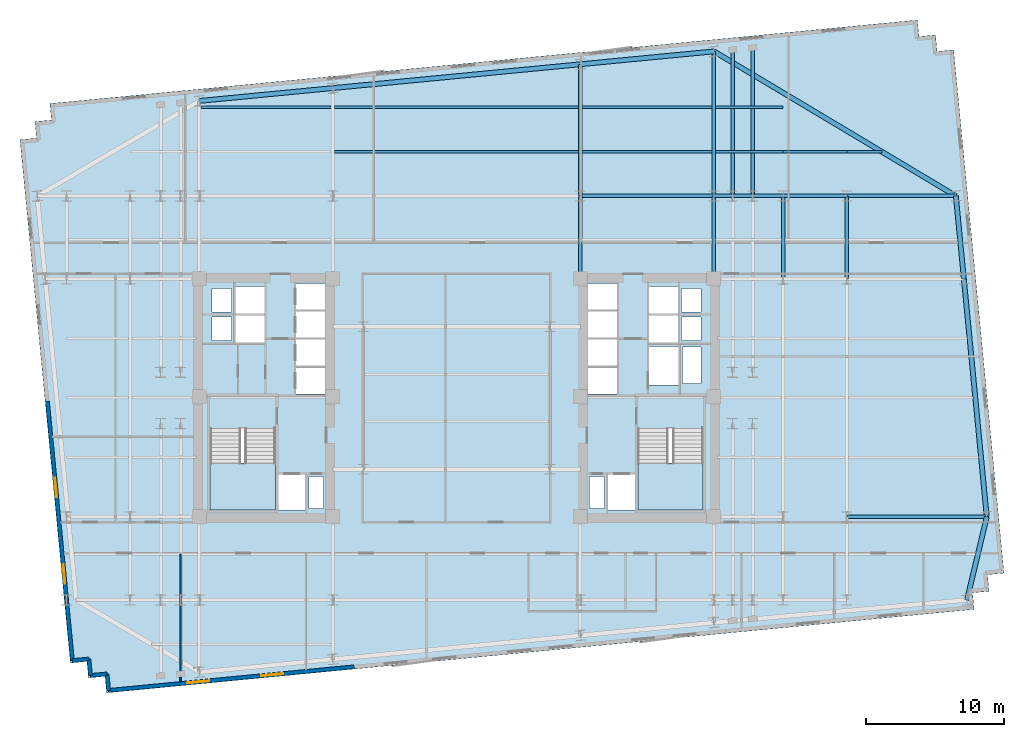
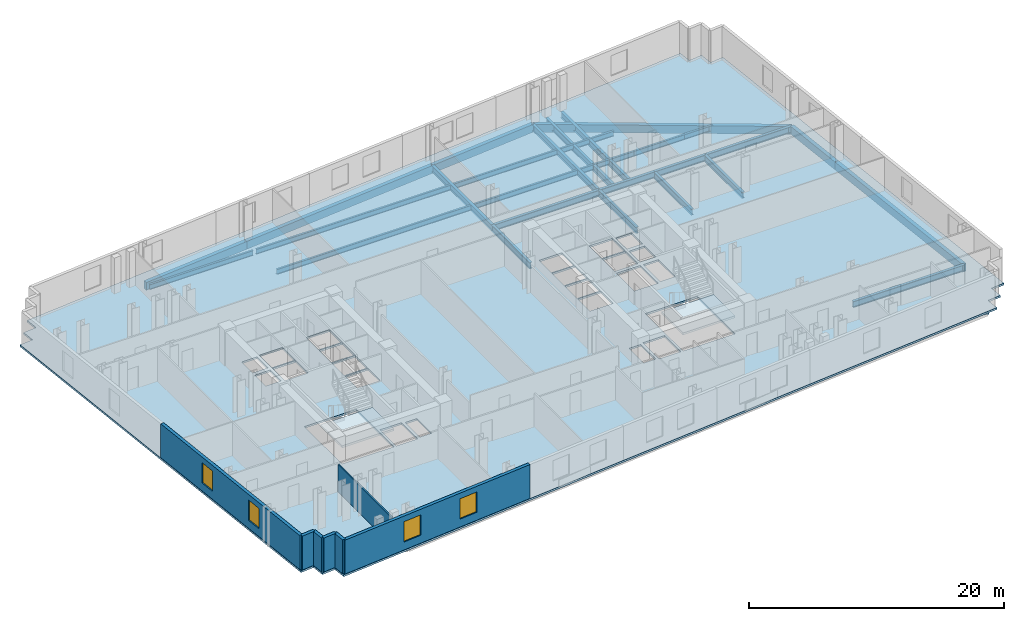
# One storey, part 3 of 10: 29 beams, 7 walls, 4 windows, 3 slabs, 4 openings, 2 elements without a shape of their own.
"""IFC4 building model written with IfcOpenShell, lengths in metres."""

from ifc_helpers import new_model, si_unit, direction, frame, frame_2d, origin, origin_2d, place, context, subcontext, project, spatial, polyline, rectangle, i_section, outline, extrude, material, layer, layer_set, material_profile, profile_set, type_object, element, fill, aggregate, save


model = new_model("IFC4")

# Units and contexts
model_context = context("Model", 3, precision=1e-05, world=origin(), true_north=direction((0.0, 1.0)))
body_context = subcontext(model_context, "Body", "Model", "MODEL_VIEW")
ifc_project = project(units=[si_unit("LENGTHUNIT", "METRE"), si_unit("AREAUNIT", "SQUARE_METRE"), si_unit("VOLUMEUNIT", "CUBIC_METRE"), si_unit("PLANEANGLEUNIT", "RADIAN"), si_unit("MASSUNIT", "GRAM", prefix="KILO")], contexts=[model_context])

# Site, building, storey
site_placement = place(None, origin())
site = spatial("IfcSite", under=ifc_project, at=site_placement, CompositionType="ELEMENT")
building_placement = place(site_placement, origin())
building = spatial("IfcBuilding", under=site, at=building_placement, Name="Velakula Bourse", CompositionType="ELEMENT")
storey_placement = place(building_placement, frame((0.0, 0.0, 88.0)))
storey = spatial("IfcBuildingStorey", under=building, at=storey_placement, Name="L23", CompositionType="ELEMENT", Elevation=88.0)

# Beams
ifc_material_1 = material(Name="Steel IS 2062 Grade 350 (E350)", Category="steel")
ifc_material_profile_1 = material_profile(ifc_material_1, i_section(OverallWidth=0.25, OverallDepth=0.60009765625, WebThickness=0.01171875, FlangeThickness=0.023681640625, at=origin_2d()), Name="Steel IS 2062 Grade 350 (E350)")
ifc_profile_set_1 = profile_set([ifc_material_profile_1], Name="Steel IS 2062 Grade 350 (E350)")
beam_type_1 = type_object("IfcBeamType", Name="BM-GRD-600H", PredefinedType="BEAM", material=ifc_profile_set_1)
for number, where, z_axis, x_axis, name in (
    (1, (8.949951171875, 8.60009765625, -0.47998046875), (0.0, 1.0, 0.0), (-1.0, 0.0, 0.0), "L23 Fulcrum Grid Girder FLC-ECN"),
    (2, (18.60009765625, 8.60009765625, -0.47998046875), (0.0, 1.0, 0.0), (-1.0, 0.0, 0.0), "L23 Fulcrum Grid Girder FLC-EN"),
):
    element("IfcBeam", number, at=place(storey_placement, frame(where, z_axis=z_axis, x_axis=x_axis)), inside=storey, type_object=beam_type_1, Name=name, PredefinedType="BEAM", context=body_context, shape_type="SweptSolid", body=[
        extrude(i_section(OverallWidth=0.25, OverallDepth=0.60009765625, WebThickness=0.01171875, FlangeThickness=0.023681640625, at=origin_2d()), origin(), (0.0, 0.0, 1.0), 6.0),
    ])
beam_1_placement = place(storey_placement, frame((8.949951171875, 14.60009765625, -0.47998046875), z_axis=(1.0, 0.0, 0.0), x_axis=(0.0, 1.0, 0.0)))
element("IfcBeam", 3, at=beam_1_placement, inside=storey, type_object=beam_type_1, Name="L23 Fulcrum Grid Girder FLC-N3", PredefinedType="BEAM", context=body_context, shape_type="SweptSolid", body=[
    extrude(i_section(OverallWidth=0.25, OverallDepth=0.60009765625, WebThickness=0.01171875, FlangeThickness=0.023681640625, at=origin_2d()), origin(), (0.0, 0.0, 1.0), 9.650146484375),
])
beam_2_placement = place(storey_placement, frame((18.60009765625, 14.60009765625, -0.47998046875), z_axis=(1.0, 0.0, 0.0), x_axis=(0.0, 1.0, 0.0)))
element("IfcBeam", 4, at=beam_2_placement, inside=storey, type_object=beam_type_1, Name="L23 Fulcrum Grid Girder MWG-EN2", PredefinedType="BEAM", context=body_context, shape_type="SweptSolid", body=[
    extrude(i_section(OverallWidth=0.25, OverallDepth=0.60009765625, WebThickness=0.01171875, FlangeThickness=0.023681640625, at=origin_2d()), origin(), (0.0, 0.0, 1.0), 5.0),
])
beam_3_placement = place(storey_placement, frame((23.60009765625, 8.60009765625, -0.47998046875), z_axis=(0.0, 1.0, 0.0), x_axis=(-1.0, 0.0, 0.0)))
element("IfcBeam", 5, at=beam_3_placement, inside=storey, type_object=beam_type_1, Name="L23 Fulcrum Grid Girder MWG-ENS3", PredefinedType="BEAM", context=body_context, shape_type="SweptSolid", body=[
    extrude(i_section(OverallWidth=0.25, OverallDepth=0.60009765625, WebThickness=0.01171875, FlangeThickness=0.023681640625, at=origin_2d()), origin(), (0.0, 0.0, 1.0), 6.0),
])
beam_4_placement = place(storey_placement, frame((23.60009765625, 14.60009765625, -0.47998046875), z_axis=(1.0, 0.0, 0.0), x_axis=(0.0, 1.0, 0.0)))
element("IfcBeam", 6, at=beam_4_placement, inside=storey, type_object=beam_type_1, Name="L23 Fulcrum Grid Girder WNG-EN2", PredefinedType="BEAM", context=body_context, shape_type="SweptSolid", body=[
    extrude(i_section(OverallWidth=0.25, OverallDepth=0.60009765625, WebThickness=0.01171875, FlangeThickness=0.023681640625, at=origin_2d()), origin(), (0.0, 0.0, 1.0), 4.599853515625),
])
beam_5_placement = place(storey_placement, frame((28.199951171875, 8.60009765625, -0.47998046875), z_axis=(0.0, 1.0, 0.0), x_axis=(-1.0, 0.0, 0.0)))
element("IfcBeam", 7, at=beam_5_placement, inside=storey, type_object=beam_type_1, Name="L23 Fulcrum Grid Girder WNG-ENS3", PredefinedType="BEAM", context=body_context, shape_type="SweptSolid", body=[
    extrude(i_section(OverallWidth=0.25, OverallDepth=0.60009765625, WebThickness=0.01171875, FlangeThickness=0.023681640625, at=origin_2d()), origin(), (0.0, 0.0, 1.0), 6.0),
])
beam_6_placement = place(storey_placement, frame((8.949951171875, 14.60009765625, -0.47998046875), z_axis=(0.0, 1.0, 0.0), x_axis=(-1.0, 0.0, 0.0)))
element("IfcBeam", 8, at=beam_6_placement, inside=storey, type_object=beam_type_1, Name="L23 Perimeter Tie Girder N3", PredefinedType="BEAM", context=body_context, shape_type="SweptSolid", body=[
    extrude(i_section(OverallWidth=0.25, OverallDepth=0.60009765625, WebThickness=0.01171875, FlangeThickness=0.023681640625, at=origin_2d()), origin(), (0.0, 0.0, 1.0), 9.521484375),
])
beam_7_placement = place(storey_placement, frame((18.60009765625, 14.60009765625, -0.47998046875), z_axis=(0.0, 1.0, 0.0), x_axis=(-1.0, 0.0, 0.0)))
element("IfcBeam", 9, at=beam_7_placement, inside=storey, type_object=beam_type_1, Name="L23 Perimeter Tie Girder N4", PredefinedType="BEAM", context=body_context, shape_type="SweptSolid", body=[
    extrude(i_section(OverallWidth=0.25, OverallDepth=0.60009765625, WebThickness=0.01171875, FlangeThickness=0.023681640625, at=origin_2d()), origin(), (0.0, 0.0, 1.0), 10.45068359375),
])
beam_8_placement = place(storey_placement, frame((28.199951171875, -8.60009765625, -0.47998046875), z_axis=(1.0, 0.0, 0.0), x_axis=(0.0, 1.0, 0.0)))
element("IfcBeam", 10, at=beam_8_placement, inside=storey, type_object=beam_type_1, Name="L23 Perimeter Tie Girder E2", PredefinedType="BEAM", context=body_context, shape_type="SweptSolid", body=[
    extrude(i_section(OverallWidth=0.25, OverallDepth=0.60009765625, WebThickness=0.01171875, FlangeThickness=0.023681640625, at=origin_2d()), origin(), (0.0, 0.0, 1.0), 10.119873046875),
])
beam_9_placement = place(storey_placement, frame((28.199951171875, 14.60009765625, -0.47998046875), z_axis=(1.0, 0.0, 0.0), x_axis=(0.0, 1.0, 0.0)))
element("IfcBeam", 11, at=beam_9_placement, inside=storey, type_object=beam_type_1, Name="L23 Perimeter Tie Girder E4", PredefinedType="BEAM", context=body_context, shape_type="SweptSolid", body=[
    extrude(i_section(OverallWidth=0.25, OverallDepth=0.60009765625, WebThickness=0.01171875, FlangeThickness=0.023681640625, at=origin_2d()), origin(), (0.0, 0.0, 1.0), 7.885986328125),
])
beam_10_placement = place(storey_placement, frame((19.949951171875, 14.60009765625, -0.47998046875), z_axis=(0.0, 1.0, 0.0), x_axis=(-1.0, 0.0, 0.0)))
element("IfcBeam", 12, at=beam_10_placement, inside=storey, type_object=beam_type_1, Name="L23 Perimeter Tie Girder P07", PredefinedType="BEAM", context=body_context, shape_type="SweptSolid", body=[
    extrude(i_section(OverallWidth=0.25, OverallDepth=0.60009765625, WebThickness=0.01171875, FlangeThickness=0.023681640625, at=origin_2d()), origin(), (0.0, 0.0, 1.0), 10.580810546875),
])
beam_11_placement = place(storey_placement, frame((21.39990234375, 14.60009765625, -0.47998046875), z_axis=(0.0, 1.0, 0.0), x_axis=(-1.0, 0.0, 0.0)))
element("IfcBeam", 13, at=beam_11_placement, inside=storey, type_object=beam_type_1, Name="L23 Perimeter Tie Girder P08", PredefinedType="BEAM", context=body_context, shape_type="SweptSolid", body=[
    extrude(i_section(OverallWidth=0.25, OverallDepth=0.60009765625, WebThickness=0.01171875, FlangeThickness=0.023681640625, at=origin_2d()), origin(), (0.0, 0.0, 1.0), 10.720458984375),
])
ifc_material_profile_2 = material_profile(ifc_material_1, i_section(OverallWidth=0.179931640625, OverallDepth=0.5, WebThickness=0.01025390625, FlangeThickness=0.01708984375, at=origin_2d()), Name="Steel IS 2062 Grade 350 (E350)")
ifc_profile_set_2 = profile_set([ifc_material_profile_2], Name="Steel IS 2062 Grade 350 (E350)")
beam_type_2 = type_object("IfcBeamType", Name="JST-TWR-500", PredefinedType="JOIST", material=ifc_profile_set_2)
beam_12_placement = place(storey_placement, frame((-8.824951171875, 17.800048828125, -0.429931640625), z_axis=(1.0, 0.0, 0.0), x_axis=(0.0, 1.0, 0.0)))
element("IfcBeam", 14, at=beam_12_placement, inside=storey, type_object=beam_type_2, Name="L23 Trading Floor Composite Joist 22", PredefinedType="JOIST", context=body_context, shape_type="SweptSolid", body=[
    extrude(i_section(OverallWidth=0.179931640625, OverallDepth=0.5, WebThickness=0.01025390625, FlangeThickness=0.01708984375, at=origin_2d()), origin(), (0.0, 0.0, 1.0), 17.64990234375),
])
beam_13_placement = place(storey_placement, frame((9.074951171875, 17.800048828125, -0.429931640625), z_axis=(1.0, 0.0, 0.0), x_axis=(0.0, 1.0, 0.0)))
element("IfcBeam", 15, at=beam_13_placement, inside=storey, type_object=beam_type_2, Name="L23 Trading Floor Composite Joist 23", PredefinedType="JOIST", context=body_context, shape_type="SweptSolid", body=[
    extrude(i_section(OverallWidth=0.179931640625, OverallDepth=0.5, WebThickness=0.01025390625, FlangeThickness=0.01708984375, at=origin_2d()), origin(), (0.0, 0.0, 1.0), 9.400146484375),
])
beam_14_placement = place(storey_placement, frame((18.72509765625, 17.800048828125, -0.429931640625), z_axis=(1.0, 0.0, 0.0), x_axis=(0.0, 1.0, 0.0)))
element("IfcBeam", 16, at=beam_14_placement, inside=storey, type_object=beam_type_2, Name="L23 Trading Floor Composite Joist 24", PredefinedType="JOIST", context=body_context, shape_type="SweptSolid", body=[
    extrude(i_section(OverallWidth=0.179931640625, OverallDepth=0.5, WebThickness=0.01025390625, FlangeThickness=0.01708984375, at=origin_2d()), origin(), (0.0, 0.0, 1.0), 4.875),
])
beam_15_placement = place(storey_placement, frame((23.60009765625, 17.800048828125, -0.429931640625), z_axis=(1.0, 0.0, 0.0), x_axis=(0.0, 1.0, 0.0)))
element("IfcBeam", 17, at=beam_15_placement, inside=storey, type_object=beam_type_2, Name="L23 Trading Floor Composite Joist 25", PredefinedType="JOIST", context=body_context, shape_type="SweptSolid", body=[
    extrude(i_section(OverallWidth=0.179931640625, OverallDepth=0.5, WebThickness=0.01025390625, FlangeThickness=0.01708984375, at=origin_2d()), origin(), (0.0, 0.0, 1.0), 4.599853515625),
])
beam_16_placement = place(storey_placement, frame((28.199951171875, 17.800048828125, -0.429931640625), z_axis=(1.0, 0.0, 0.0), x_axis=(0.0, 1.0, 0.0)))
element("IfcBeam", 18, at=beam_16_placement, inside=storey, type_object=beam_type_2, Name="L23 Trading Floor Composite Joist 26", PredefinedType="JOIST", context=body_context, shape_type="SweptSolid", body=[
    extrude(i_section(OverallWidth=0.179931640625, OverallDepth=0.5, WebThickness=0.01025390625, FlangeThickness=0.01708984375, at=origin_2d()), origin(), (0.0, 0.0, 1.0), 2.53173828125),
])
beam_17_placement = place(storey_placement, frame((-18.47509765625, 21.0, -0.429931640625), z_axis=(1.0, 0.0, 0.0), x_axis=(0.0, 1.0, 0.0)))
element("IfcBeam", 19, at=beam_17_placement, inside=storey, type_object=beam_type_2, Name="L23 Trading Floor Composite Joist 27", PredefinedType="JOIST", context=body_context, shape_type="SweptSolid", body=[
    extrude(i_section(OverallWidth=0.179931640625, OverallDepth=0.5, WebThickness=0.01025390625, FlangeThickness=0.01708984375, at=origin_2d()), origin(), (0.0, 0.0, 1.0), 9.400146484375),
])
beam_18_placement = place(storey_placement, frame((-8.824951171875, 21.0, -0.429931640625), z_axis=(1.0, 0.0, 0.0), x_axis=(0.0, 1.0, 0.0)))
element("IfcBeam", 20, at=beam_18_placement, inside=storey, type_object=beam_type_2, Name="L23 Trading Floor Composite Joist 28", PredefinedType="JOIST", context=body_context, shape_type="SweptSolid", body=[
    extrude(i_section(OverallWidth=0.179931640625, OverallDepth=0.5, WebThickness=0.01025390625, FlangeThickness=0.01708984375, at=origin_2d()), origin(), (0.0, 0.0, 1.0), 17.64990234375),
])
beam_19_placement = place(storey_placement, frame((9.074951171875, 21.0, -0.429931640625), z_axis=(1.0, 0.0, 0.0), x_axis=(0.0, 1.0, 0.0)))
element("IfcBeam", 21, at=beam_19_placement, inside=storey, type_object=beam_type_2, Name="L23 Trading Floor Composite Joist 29", PredefinedType="JOIST", context=body_context, shape_type="SweptSolid", body=[
    extrude(i_section(OverallWidth=0.179931640625, OverallDepth=0.5, WebThickness=0.01025390625, FlangeThickness=0.01708984375, at=origin_2d()), origin(), (0.0, 0.0, 1.0), 9.400146484375),
])
beam_20_placement = place(storey_placement, frame((18.72509765625, 21.0, -0.429931640625), z_axis=(1.0, 0.0, 0.0), x_axis=(0.0, 1.0, 0.0)))
element("IfcBeam", 22, at=beam_20_placement, inside=storey, type_object=beam_type_2, Name="L23 Trading Floor Composite Joist 30", PredefinedType="JOIST", context=body_context, shape_type="SweptSolid", body=[
    extrude(i_section(OverallWidth=0.179931640625, OverallDepth=0.5, WebThickness=0.01025390625, FlangeThickness=0.01708984375, at=origin_2d()), origin(), (0.0, 0.0, 1.0), 4.875),
])
ifc_material_2 = material(Name="Precast concrete M45 (fck 45 MPa)", Category="concrete")
ifc_material_profile_3 = material_profile(ifc_material_2, rectangle(XDim=0.35009765625, YDim=0.75, at=origin_2d()), Name="Precast concrete M45 (fck 45 MPa)")
ifc_profile_set_3 = profile_set([ifc_material_profile_3], Name="Precast concrete M45 (fck 45 MPa)")
beam_type_3 = type_object("IfcBeamType", Name="SPN-BRICK-750", PredefinedType="SPANDREL", material=ifc_profile_set_3)
beam_21_placement = place(storey_placement, frame((-18.60009765625, 21.468994140625, -0.554931640625), z_axis=(0.99539623971, 0.095845323155, 0.0), x_axis=(-0.095845323155, 0.99539623971, 0.0)))
element("IfcBeam", 23, at=beam_21_placement, inside=storey, type_object=beam_type_3, Name="L23 Brick-Faced Precast Spandrel N1-N2", PredefinedType="SPANDREL", context=body_context, shape_type="SweptSolid", body=[
    extrude(rectangle(XDim=0.35009765625, YDim=0.75, at=origin_2d()), origin(), (0.0, 0.0, 1.0), 9.69482421875),
])
beam_22_placement = place(storey_placement, frame((-8.949951171875, 22.398193359375, -0.554931640625), z_axis=(0.995397131467, 0.095836061418, 0.0), x_axis=(-0.095836061418, 0.995397131467, 0.0)))
element("IfcBeam", 24, at=beam_22_placement, inside=storey, type_object=beam_type_3, Name="L23 Brick-Faced Precast Spandrel N2-N3", PredefinedType="SPANDREL", context=body_context, shape_type="SweptSolid", body=[
    extrude(rectangle(XDim=0.35009765625, YDim=0.75, at=origin_2d()), origin(), (0.0, 0.0, 1.0), 17.982666015625),
])
beam_23_placement = place(storey_placement, frame((8.949951171875, 24.12158203125, -0.554931640625), z_axis=(0.99539623971, 0.095845323155, 0.0), x_axis=(-0.095845323155, 0.99539623971, 0.0)))
element("IfcBeam", 25, at=beam_23_placement, inside=storey, type_object=beam_type_3, Name="L23 Brick-Faced Precast Spandrel N3-N4", PredefinedType="SPANDREL", context=body_context, shape_type="SweptSolid", body=[
    extrude(rectangle(XDim=0.35009765625, YDim=0.75, at=origin_2d()), origin(), (0.0, 0.0, 1.0), 9.69482421875),
])
beam_24_placement = place(storey_placement, frame((36.88818359375, -14.60009765625, -0.554931640625), z_axis=(0.232091371601, 0.972693988482, 0.0), x_axis=(-0.972693988482, 0.232091371601, 0.0)))
element("IfcBeam", 26, at=beam_24_placement, inside=storey, type_object=beam_type_3, Name="L23 Brick-Faced Precast Spandrel E1-E2", PredefinedType="SPANDREL", context=body_context, shape_type="SweptSolid", body=[
    extrude(rectangle(XDim=0.35009765625, YDim=0.75, at=origin_2d()), origin(), (0.0, 0.0, 1.0), 6.16845703125),
])
beam_25_placement = place(storey_placement, frame((38.31982421875, -8.60009765625, -0.554931640625), z_axis=(-0.095849167925, 0.995395869495, 0.0), x_axis=(-0.995395869495, -0.095849167925, 0.0)))
element("IfcBeam", 27, at=beam_25_placement, inside=storey, type_object=beam_type_3, Name="L23 Brick-Faced Precast Spandrel E2-E3", PredefinedType="SPANDREL", context=body_context, shape_type="SweptSolid", body=[
    extrude(rectangle(XDim=0.35009765625, YDim=0.75, at=origin_2d()), origin(), (0.0, 0.0, 1.0), 17.27978515625),
])
beam_26_placement = place(storey_placement, frame((36.66357421875, 8.60009765625, -0.554931640625), z_axis=(-0.095829714309, 0.995397742541, 0.0), x_axis=(-0.995397742541, -0.095829714309, 0.0)))
element("IfcBeam", 28, at=beam_26_placement, inside=storey, type_object=beam_type_3, Name="L23 Brick-Faced Precast Spandrel E3-E4", PredefinedType="SPANDREL", context=body_context, shape_type="SweptSolid", body=[
    extrude(rectangle(XDim=0.35009765625, YDim=0.75, at=origin_2d()), origin(), (0.0, 0.0, 1.0), 6.02783203125),
])
beam_27_placement = place(storey_placement, frame((36.0859375, 14.60009765625, -0.554931640625), z_axis=(-0.858375715449, 0.513021569846, 0.0), x_axis=(-0.513021569846, -0.858375715449, 0.0)))
element("IfcBeam", 29, at=beam_27_placement, inside=storey, type_object=beam_type_3, Name="L23 Brick-Faced Precast Spandrel E4-N4", PredefinedType="SPANDREL", context=body_context, shape_type="SweptSolid", body=[
    extrude(rectangle(XDim=0.35009765625, YDim=0.75, at=origin_2d()), origin(), (0.0, 0.0, 1.0), 20.370849609375),
])

# Stair, slab
ifc_material_3 = material(Name="Concrete M45 (fck 45 MPa)", Category="concrete")
stair_type = type_object("IfcStairType", Name="STR-DOG-390", PredefinedType="HALF_TURN_STAIR", material=ifc_material_3)
stair_1_placement = place(storey_placement, origin())
stair_1 = element("IfcStair", 30, at=stair_1_placement, inside=storey, type_object=stair_type, Name="L23 West Core Exit Stair ST-W1", PredefinedType="HALF_TURN_STAIR")
ifc_layer_1 = layer(ifc_material_3, 0.199951171875, Name="Concrete M45 (fck 45 MPa)", Category="concrete")
ifc_layer_set_1 = layer_set([ifc_layer_1], Name="Concrete M45 (fck 45 MPa)")
slab_type_1 = type_object("IfcSlabType", Name="SLB-STAIR-LND-200", PredefinedType="LANDING", material=ifc_layer_set_1)
slab_1_placement = place(storey_placement, frame((0.0, 0.0, 1.52490234375)))
slab_1 = element("IfcSlab", 31, at=slab_1_placement, type_object=slab_type_1, Name="ST-W1 landing 1", PredefinedType="LANDING", context=body_context, shape_type="SweptSolid", body=[
    extrude(outline(polyline([(-17.820068359375, -4.719970703125), (-17.820068359375, -8.10009765625), (-13.10009765625, -8.10009765625), (-13.10009765625, -4.719970703125), (-17.820068359375, -4.719970703125)])), origin(), (0.0, 0.0, 1.0), 0.2001953125),
])
aggregate(stair_1, [slab_1])

stair_2_placement = place(storey_placement, origin())
stair_2 = element("IfcStair", 32, at=stair_2_placement, inside=storey, type_object=stair_type, Name="L23 East Core Exit Stair ST-E1", PredefinedType="HALF_TURN_STAIR")
slab_2_placement = place(storey_placement, frame((0.0, 0.0, 1.52490234375)))
slab_2 = element("IfcSlab", 33, at=slab_2_placement, type_object=slab_type_1, Name="ST-E1 landing 1", PredefinedType="LANDING", context=body_context, shape_type="SweptSolid", body=[
    extrude(outline(polyline([(13.10009765625, -4.719970703125), (13.10009765625, -8.10009765625), (17.820068359375, -8.10009765625), (17.820068359375, -4.719970703125), (13.10009765625, -4.719970703125)])), origin(), (0.0, 0.0, 1.0), 0.2001953125),
])
aggregate(stair_2, [slab_2])

# Slab
ifc_material_4 = material(Name="Concrete M50 (fck 50 MPa)", Category="concrete")
ifc_layer_2 = layer(ifc_material_4, 0.179931640625, Name="Concrete M50 (fck 50 MPa)", Category="concrete")
ifc_layer_set_2 = layer_set([ifc_layer_2], Name="Concrete M50 (fck 50 MPa)")
slab_type_2 = type_object("IfcSlabType", Name="SLB-TWR-180", PredefinedType="FLOOR", material=ifc_layer_set_2)
slab_3_placement = place(storey_placement, frame((0.0, 0.0, -0.179931640625)))
element("IfcSlab", 34, at=slab_3_placement, inside=storey, type_object=slab_type_2, Name="L23 Suspended Structural Floor Slab", PredefinedType="FLOOR", context=body_context, shape_type="SweptSolid", body=[
    extrude(outline(polyline([(-25.303955078125, -21.320556640625), (37.406005859375, -15.2822265625), (37.291015625, -14.087890625), (38.485595703125, -13.972900390625), (38.37060546875, -12.7783203125), (39.56494140625, -12.663330078125), (35.9228515625, 25.16162109375), (34.728271484375, 25.046630859375), (34.61328125, 26.2412109375), (33.4189453125, 26.126220703125), (33.303955078125, 27.320556640625), (-29.406005859375, 21.2822265625), (-29.291015625, 20.087890625), (-30.485595703125, 19.972900390625), (-30.37060546875, 18.7783203125), (-31.56494140625, 18.663330078125), (-27.9228515625, -19.16162109375), (-26.728271484375, -19.046630859375), (-26.61328125, -20.2412109375), (-25.4189453125, -20.126220703125), (-25.303955078125, -21.320556640625)]), holes=[polyline([(-17.820068359375, -8.10009765625), (-13.10009765625, -8.10009765625), (-13.10009765625, -2.199951171875), (-17.820068359375, -2.199951171875), (-17.820068359375, -8.10009765625)]), polyline([(13.10009765625, -8.10009765625), (17.820068359375, -8.10009765625), (17.820068359375, -2.199951171875), (13.10009765625, -2.199951171875), (13.10009765625, -8.10009765625)]), polyline([(-12.89990234375, -8.10009765625), (-10.949951171875, -8.10009765625), (-10.949951171875, -5.550048828125), (-12.89990234375, -5.550048828125), (-12.89990234375, -8.10009765625)]), polyline([(10.949951171875, -8.10009765625), (12.89990234375, -8.10009765625), (12.89990234375, -5.550048828125), (10.949951171875, -5.550048828125), (10.949951171875, -8.10009765625)]), polyline([(13.89990234375, 0.919921875), (16.050048828125, 0.919921875), (16.050048828125, 3.719970703125), (13.89990234375, 3.719970703125), (13.89990234375, 0.919921875)]), polyline([(-10.679931640625, -7.97998046875), (-9.6201171875, -7.97998046875), (-9.6201171875, -5.669921875), (-10.679931640625, -5.669921875), (-10.679931640625, -7.97998046875)]), polyline([(-17.679931640625, 4.139892578125), (-16.27001953125, 4.139892578125), (-16.27001953125, 5.85009765625), (-17.679931640625, 5.85009765625), (-17.679931640625, 4.139892578125)]), polyline([(-17.679931640625, 6.2099609375), (-16.27001953125, 6.2099609375), (-16.27001953125, 7.919921875), (-17.679931640625, 7.919921875), (-17.679931640625, 6.2099609375)]), polyline([(9.6201171875, -7.97998046875), (10.679931640625, -7.97998046875), (10.679931640625, -5.669921875), (9.6201171875, -5.669921875), (9.6201171875, -7.97998046875)]), polyline([(16.27001953125, 4.139892578125), (17.679931640625, 4.139892578125), (17.679931640625, 5.85009765625), (16.27001953125, 5.85009765625), (16.27001953125, 4.139892578125)]), polyline([(16.27001953125, 6.2099609375), (17.679931640625, 6.2099609375), (17.679931640625, 7.919921875), (16.27001953125, 7.919921875), (16.27001953125, 6.2099609375)]), polyline([(16.320068359375, 1.0400390625), (17.679931640625, 1.0400390625), (17.679931640625, 3.699951171875), (16.320068359375, 3.699951171875), (16.320068359375, 1.0400390625)]), polyline([(-11.60009765625, 0.280029296875), (-9.5, 0.280029296875), (-9.5, 2.199951171875), (-11.60009765625, 2.199951171875), (-11.60009765625, 0.280029296875)]), polyline([(-11.60009765625, 2.31005859375), (-9.5, 2.31005859375), (-9.5, 4.22998046875), (-11.60009765625, 4.22998046875), (-11.60009765625, 2.31005859375)]), polyline([(-11.60009765625, 4.340087890625), (-9.5, 4.340087890625), (-9.5, 6.260009765625), (-11.60009765625, 6.260009765625), (-11.60009765625, 4.340087890625)]), polyline([(-11.60009765625, 6.3701171875), (-9.5, 6.3701171875), (-9.5, 8.2900390625), (-11.60009765625, 8.2900390625), (-11.60009765625, 6.3701171875)]), polyline([(9.5, 0.280029296875), (11.60009765625, 0.280029296875), (11.60009765625, 2.199951171875), (9.5, 2.199951171875), (9.5, 0.280029296875)]), polyline([(9.5, 2.31005859375), (11.60009765625, 2.31005859375), (11.60009765625, 4.22998046875), (9.5, 4.22998046875), (9.5, 2.31005859375)]), polyline([(9.5, 4.340087890625), (11.60009765625, 4.340087890625), (11.60009765625, 6.260009765625), (9.5, 6.260009765625), (9.5, 4.340087890625)]), polyline([(9.5, 6.3701171875), (11.60009765625, 6.3701171875), (11.60009765625, 8.2900390625), (9.5, 8.2900390625), (9.5, 6.3701171875)]), polyline([(-16.0, 4.02001953125), (-13.89990234375, 4.02001953125), (-13.89990234375, 5.969970703125), (-16.0, 5.969970703125), (-16.0, 4.02001953125)]), polyline([(-16.0, 6.090087890625), (-13.89990234375, 6.090087890625), (-13.89990234375, 8.0400390625), (-16.0, 8.0400390625), (-16.0, 6.090087890625)]), polyline([(13.89990234375, 4.02001953125), (16.0, 4.02001953125), (16.0, 5.969970703125), (13.89990234375, 5.969970703125), (13.89990234375, 4.02001953125)]), polyline([(13.89990234375, 6.090087890625), (16.0, 6.090087890625), (16.0, 8.0400390625), (13.89990234375, 8.0400390625), (13.89990234375, 6.090087890625)])]), origin(), (0.0, 0.0, 1.0), 0.179931640625),
])

# Wall, openings, windows
ifc_material_5 = material(Name="Red kilned clay facing brick masonry", Category="masonry")
ifc_layer_3 = layer(ifc_material_5, 0.280029296875, Name="Red kilned clay facing brick masonry", Category="masonry")
ifc_layer_set_3 = layer_set([ifc_layer_3], Name="Red kilned clay facing brick masonry")
wall_type_1 = type_object("IfcWallType", Name="WL-EXT-BRK-280", PredefinedType="STANDARD", material=ifc_layer_set_3)
wall_1_placement = place(storey_placement, frame((-7.402099609375, -19.43603515625, 0.0), z_axis=(0.0, 0.0, 1.0), x_axis=(-0.995395780835, -0.095850088663, 0.0)))
wall_1 = element("IfcWall", 35, at=wall_1_placement, inside=storey, type_object=wall_type_1, Name="L23 S Brick Spandrel Wall B1", PredefinedType="STANDARD", context=body_context, shape_type="SweptSolid", body=[
    extrude(rectangle(XDim=17.83984375, YDim=0.280029296875, at=frame_2d((8.919921875, 0.0))), origin(), (0.0, 0.0, 1.0), 3.25),
])
opening_1_placement = place(wall_1_placement, frame((5.146728515625, 0.0, 0.760009765625)))
opening_1 = element("IfcOpeningElement", 36, at=opening_1_placement, cuts=wall_1, Name="Opening W-02", PredefinedType="OPENING", context=body_context, shape_type="SweptSolid", body=[
    extrude(rectangle(XDim=1.60009765625, YDim=1.949951171875, at=frame_2d((0.800048828125, 0.97509765625))), frame((0.0, 0.14990234375, 0.0), z_axis=(0.0, -1.0, 0.0), x_axis=(1.0, 0.0, 0.0)), (0.0, 0.0, 1.0), 0.300048828125),
])
opening_2_placement = place(wall_1_placement, frame((10.543212890625, 0.0, 0.760009765625)))
opening_2 = element("IfcOpeningElement", 37, at=opening_2_placement, cuts=wall_1, Name="Opening W-02", PredefinedType="OPENING", context=body_context, shape_type="SweptSolid", body=[
    extrude(rectangle(XDim=1.60009765625, YDim=1.949951171875, at=frame_2d((0.800048828125, 0.97509765625))), frame((0.0, 0.14990234375, 0.0), z_axis=(0.0, -1.0, 0.0), x_axis=(1.0, 0.0, 0.0)), (0.0, 0.0, 1.0), 0.300048828125),
])
ifc_material_6 = material(Name="Double-glazed solar-control Low-E glass", Category="glass")
window_type_1 = type_object("IfcWindowType", Name="WIN-TWR-1600x2100", PartitioningType="SINGLE_PANEL", PredefinedType="WINDOW", material=ifc_material_6)
window_1_placement = place(opening_1_placement, origin())
window_1 = element("IfcWindow", 38, at=window_1_placement, inside=storey, type_object=window_type_1, Name="L23 Deep-Set Recessed Window 1", OverallHeight=1.949951171875, OverallWidth=1.60009765625, PartitioningType="SINGLE_PANEL", PredefinedType="WINDOW", context=body_context, shape_type="SweptSolid", body=[
    extrude(rectangle(XDim=1.60009765625, YDim=1.949951171875, at=frame_2d((0.800048828125, 0.97509765625))), frame((0.0, 0.030029296875, 0.0), z_axis=(0.0, -1.0, 0.0), x_axis=(1.0, 0.0, 0.0)), (0.0, 0.0, 1.0), 0.06005859375),
])
fill(opening_1, window_1)
window_2_placement = place(opening_2_placement, origin())
window_2 = element("IfcWindow", 39, at=window_2_placement, inside=storey, type_object=window_type_1, Name="L23 Deep-Set Recessed Window 2", OverallHeight=1.949951171875, OverallWidth=1.60009765625, PartitioningType="SINGLE_PANEL", PredefinedType="WINDOW", context=body_context, shape_type="SweptSolid", body=[
    extrude(rectangle(XDim=1.60009765625, YDim=1.949951171875, at=frame_2d((0.800048828125, 0.97509765625))), frame((0.0, 0.030029296875, 0.0), z_axis=(0.0, -1.0, 0.0), x_axis=(1.0, 0.0, 0.0)), (0.0, 0.0, 1.0), 0.06005859375),
])
fill(opening_2, window_2)

wall_2_placement = place(storey_placement, frame((-27.779052734375, -18.987060546875, 0.0), z_axis=(0.0, 0.0, 1.0), x_axis=(-0.095842534142, 0.995396508256, 0.0)))
wall_2 = element("IfcWall", 40, at=wall_2_placement, inside=storey, type_object=wall_type_1, Name="L23 W Brick End Wall W1", PredefinedType="STANDARD", context=body_context, shape_type="SweptSolid", body=[
    extrude(rectangle(XDim=18.83984375, YDim=0.280029296875, at=frame_2d((9.419921875, 0.0))), origin(), (0.0, 0.0, 1.0), 3.25),
])
opening_3_placement = place(wall_2_placement, frame((5.580078125, 0.0, 0.760009765625)))
opening_3 = element("IfcOpeningElement", 41, at=opening_3_placement, cuts=wall_2, Name="Opening W-03", PredefinedType="OPENING", context=body_context, shape_type="SweptSolid", body=[
    extrude(rectangle(XDim=1.39990234375, YDim=1.949951171875, at=frame_2d((0.699951171875, 0.97509765625))), frame((0.0, 0.14990234375, 0.0), z_axis=(0.0, -1.0, 0.0), x_axis=(1.0, 0.0, 0.0)), (0.0, 0.0, 1.0), 0.300048828125),
])
opening_4_placement = place(wall_2_placement, frame((11.860107421875, 0.0, 0.760009765625)))
opening_4 = element("IfcOpeningElement", 42, at=opening_4_placement, cuts=wall_2, Name="Opening W-03", PredefinedType="OPENING", context=body_context, shape_type="SweptSolid", body=[
    extrude(rectangle(XDim=1.39990234375, YDim=1.949951171875, at=frame_2d((0.699951171875, 0.97509765625))), frame((0.0, 0.14990234375, 0.0), z_axis=(0.0, -1.0, 0.0), x_axis=(1.0, 0.0, 0.0)), (0.0, 0.0, 1.0), 0.300048828125),
])
window_type_2 = type_object("IfcWindowType", Name="WIN-TWR-1400x2100", PartitioningType="SINGLE_PANEL", PredefinedType="WINDOW", material=ifc_material_6)
window_3_placement = place(opening_3_placement, origin())
window_3 = element("IfcWindow", 43, at=window_3_placement, inside=storey, type_object=window_type_2, Name="L23 Deep-Set Recessed Window 1", OverallHeight=1.949951171875, OverallWidth=1.39990234375, PartitioningType="SINGLE_PANEL", PredefinedType="WINDOW", context=body_context, shape_type="SweptSolid", body=[
    extrude(rectangle(XDim=1.39990234375, YDim=1.949951171875, at=frame_2d((0.699951171875, 0.97509765625))), frame((0.0, 0.030029296875, 0.0), z_axis=(0.0, -1.0, 0.0), x_axis=(1.0, 0.0, 0.0)), (0.0, 0.0, 1.0), 0.06005859375),
])
fill(opening_3, window_3)
window_4_placement = place(opening_4_placement, origin())
window_4 = element("IfcWindow", 44, at=window_4_placement, inside=storey, type_object=window_type_2, Name="L23 Deep-Set Recessed Window 2", OverallHeight=1.949951171875, OverallWidth=1.39990234375, PartitioningType="SINGLE_PANEL", PredefinedType="WINDOW", context=body_context, shape_type="SweptSolid", body=[
    extrude(rectangle(XDim=1.39990234375, YDim=1.949951171875, at=frame_2d((0.699951171875, 0.97509765625))), frame((0.0, 0.030029296875, 0.0), z_axis=(0.0, -1.0, 0.0), x_axis=(1.0, 0.0, 0.0)), (0.0, 0.0, 1.0), 0.06005859375),
])
fill(opening_4, window_4)

# Walls
for number, where, z_axis, x_axis, name in (
    (45, (-27.779052734375, -18.987060546875, 0.0), (0.0, 0.0, 1.0), (0.995398960025, 0.095817067274, 0.0), "L23 Serrated Corner Brick Wall SW-1"),
    (46, (-26.58447265625, -18.8720703125, 0.0), (0.0, 0.0, 1.0), (0.095817067274, -0.995398960025, 0.0), "L23 Serrated Corner Brick Wall SW-2"),
    (47, (-26.469482421875, -20.066650390625, 0.0), (0.0, 0.0, 1.0), (0.995398960025, 0.095817067274, 0.0), "L23 Serrated Corner Brick Wall SW-3"),
):
    element("IfcWall", number, at=place(storey_placement, frame(where, z_axis=z_axis, x_axis=x_axis)), inside=storey, type_object=wall_type_1, Name=name, PredefinedType="STANDARD", context=body_context, shape_type="SweptSolid", body=[
        extrude(rectangle(XDim=1.2001953125, YDim=0.280029296875, at=frame_2d((0.60009765625, 0.0))), origin(), (0.0, 0.0, 1.0), 3.25),
    ])
wall_3_placement = place(storey_placement, frame((-25.27490234375, -19.95166015625, 0.0), z_axis=(0.0, 0.0, 1.0), x_axis=(0.095836473879, -0.995397091755, 0.0)))
element("IfcWall", 48, at=wall_3_placement, inside=storey, type_object=wall_type_1, Name="L23 Serrated Corner Brick Wall SW-4", PredefinedType="STANDARD", context=body_context, shape_type="SweptSolid", body=[
    extrude(rectangle(XDim=1.199951171875, YDim=0.280029296875, at=frame_2d((0.60009765625, 0.0))), origin(), (0.0, 0.0, 1.0), 3.25),
])
ifc_material_7 = material(Name="Fire-rated double-layer gypsum drywall partition", Category="gypsum")
ifc_layer_4 = layer(ifc_material_7, 0.1201171875, Name="Fire-rated double-layer gypsum drywall partition", Category="gypsum")
ifc_layer_set_4 = layer_set([ifc_layer_4], Name="Fire-rated double-layer gypsum drywall partition")
wall_type_2 = type_object("IfcWallType", Name="WL-PART-120", PredefinedType="STANDARD", material=ifc_layer_set_4)
wall_4_placement = place(storey_placement, frame((-19.9541015625, -20.524169921875, 0.0), z_axis=(0.0, 0.0, 1.0), x_axis=(0.0, 1.0, 0.0)))
element("IfcWall", 49, at=wall_4_placement, inside=storey, type_object=wall_type_2, Name="L23 Interior Partition WL-INT-L23-SL-D5", PredefinedType="STANDARD", context=body_context, shape_type="SweptSolid", body=[
    extrude(rectangle(XDim=9.234130859375, YDim=0.1201171875, at=frame_2d((4.6171875, 0.0))), origin(), (0.0, 0.0, 1.0), 2.64501953125),
])

save(model, "model.ifc")
